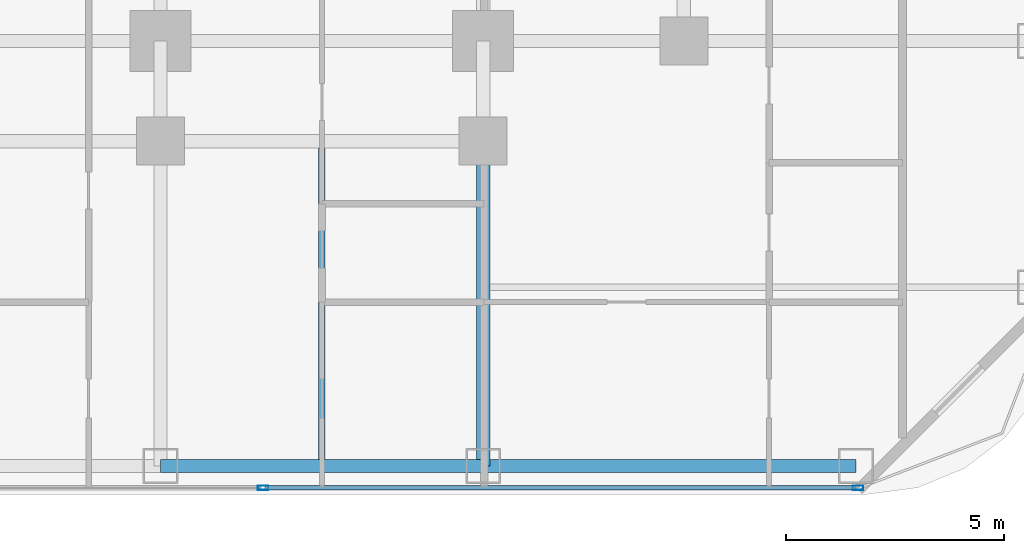
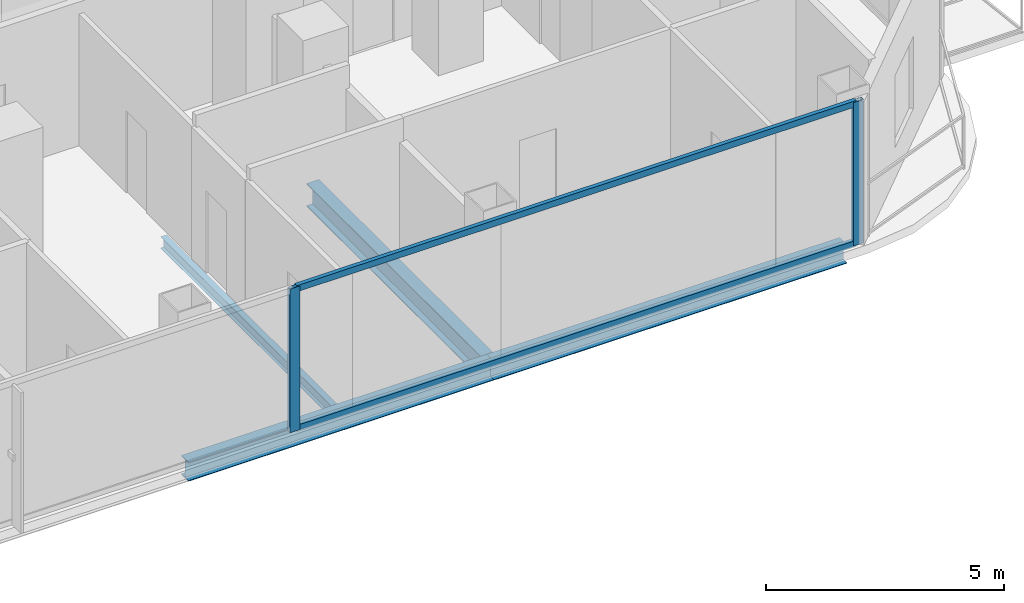
# One storey, part 8 of 30: 4 beams, 4 members, 1 element without a shape of its own.
"""IFC4 building model written with IfcOpenShell, lengths in metres."""

from ifc_helpers import new_model, si_unit, direction, frame, origin, origin_2d, place, context, subcontext, project, spatial, hollow_rectangle, i_section, extrude, material, layer, layer_set, material_profile, profile_set, type_object, element, aggregate, save


model = new_model("IFC4")

# Units and contexts
model_context = context("Model", 3, precision=1e-05, world=origin(), true_north=direction((0.0, 1.0)))
body_context = subcontext(model_context, "Body", "Model", "MODEL_VIEW")
ifc_project = project(units=[si_unit("LENGTHUNIT", "METRE"), si_unit("AREAUNIT", "SQUARE_METRE"), si_unit("VOLUMEUNIT", "CUBIC_METRE"), si_unit("PLANEANGLEUNIT", "RADIAN"), si_unit("MASSUNIT", "GRAM", prefix="KILO")], contexts=[model_context])

# Site, building, storey
site_placement = place(None, origin())
site = spatial("IfcSite", under=ifc_project, at=site_placement, CompositionType="ELEMENT")
building_placement = place(site_placement, origin())
building = spatial("IfcBuilding", under=site, at=building_placement, Name="Khorvyn Point Tower", CompositionType="ELEMENT")
storey_placement = place(building_placement, frame((0.0, 0.0, 30.60009765625)))
storey = spatial("IfcBuildingStorey", under=building, at=storey_placement, Name="L08", CompositionType="ELEMENT", Elevation=30.60009765625)

# Curtain wall, members
ifc_material_1 = material(Name="Anodised aluminium 6063-T6 and laminated Low-E glass", Category="aluminium")
ifc_layer = layer(ifc_material_1, 0.18994140625)
ifc_layer_set = layer_set([ifc_layer], Name="Stick-Built Finned Residential Curtain Wall CW-SYS-02")
curtain_wall_type = type_object("IfcCurtainWallType", Name="Stick-Built Finned Residential Curtain Wall CW-SYS-02", PredefinedType="NOTDEFINED", material=ifc_layer_set)
curtain_wall_placement = place(storey_placement, origin())
curtain_wall = element("IfcCurtainWall", 1, at=curtain_wall_placement, inside=storey, type_object=curtain_wall_type, Name="Curtain Wall", PredefinedType="NOTDEFINED")
ifc_material_2 = material(Name="Anodised aluminium 6063-T6", Category="aluminium")
ifc_material_profile_1 = material_profile(ifc_material_2, hollow_rectangle(XDim=0.10009765625, YDim=0.239990234375, WallThickness=0.0048828125, at=origin_2d()))
ifc_profile_set_1 = profile_set([ifc_material_profile_1], Name="Anodised aluminium 6063-T6 ALU-MUL-100x240")
member_type_1 = type_object("IfcMemberType", Name="Anodised Aluminium 6063-T6 Mullion ALU-MUL-100x240", PredefinedType="MULLION", material=ifc_profile_set_1)
member_1_placement = place(storey_placement, frame((23.39990234375, -25.050048828125, 0.0), z_axis=(0.0, 0.0, 1.0), x_axis=(0.0, -1.0, 0.0)))
member_1 = element("IfcMember", 2, at=member_1_placement, type_object=member_type_1, Name="Transom", PredefinedType="MULLION", context=body_context, shape_type="SweptSolid", body=[
    extrude(hollow_rectangle(XDim=0.10009765625, YDim=0.239990234375, WallThickness=0.0048828125, at=origin_2d()), origin(), (0.0, 0.0, 1.0), 3.679931640625),
])
member_2_placement = place(storey_placement, frame((9.75, -25.050048828125, 0.0), z_axis=(0.0, 0.0, 1.0), x_axis=(0.0, -1.0, 0.0)))
member_2 = element("IfcMember", 3, at=member_2_placement, type_object=member_type_1, Name="Transom", PredefinedType="MULLION", context=body_context, shape_type="SweptSolid", body=[
    extrude(hollow_rectangle(XDim=0.10009765625, YDim=0.239990234375, WallThickness=0.0048828125, at=origin_2d()), origin(), (0.0, 0.0, 1.0), 3.679931640625),
])
ifc_material_profile_2 = material_profile(ifc_material_2, hollow_rectangle(XDim=0.10009765625, YDim=0.159912109375, WallThickness=0.00439453125, at=origin_2d()))
ifc_profile_set_2 = profile_set([ifc_material_profile_2], Name="Anodised aluminium 6063-T6 ALU-TRN-100x160")
member_type_2 = type_object("IfcMemberType", Name="Anodised Aluminium 6063-T6 Transom ALU-TRN-100x160", PredefinedType="USERDEFINED", material=ifc_profile_set_2)
member_3_placement = place(storey_placement, frame((23.35009765625, -25.050048828125, 0.0498046875), z_axis=(-1.0, 0.0, 0.0), x_axis=(0.0, -1.0, 0.0)))
member_3 = element("IfcMember", 4, at=member_3_placement, type_object=member_type_2, Name="Transom", ObjectType="TRANSOM", PredefinedType="USERDEFINED", context=body_context, shape_type="SweptSolid", body=[
    extrude(hollow_rectangle(XDim=0.10009765625, YDim=0.159912109375, WallThickness=0.00439453125, at=origin_2d()), origin(), (0.0, 0.0, 1.0), 13.550048828125),
])
member_4_placement = place(storey_placement, frame((23.35009765625, -25.050048828125, 3.6298828125), z_axis=(-1.0, 0.0, 0.0), x_axis=(0.0, -1.0, 0.0)))
member_4 = element("IfcMember", 5, at=member_4_placement, type_object=member_type_2, Name="Transom", ObjectType="TRANSOM", PredefinedType="USERDEFINED", context=body_context, shape_type="SweptSolid", body=[
    extrude(hollow_rectangle(XDim=0.10009765625, YDim=0.159912109375, WallThickness=0.00439453125, at=origin_2d()), origin(), (0.0, 0.0, 1.0), 13.550048828125),
])
aggregate(curtain_wall, [member_1, member_2, member_3, member_4])

# Beams
ifc_material_3 = material(Name="Steel S355", Category="steel")
ifc_material_profile_3 = material_profile(ifc_material_3, i_section(OverallWidth=0.300048828125, OverallDepth=0.587890625, WebThickness=0.011962890625, FlangeThickness=0.02001953125, at=origin_2d()))
ifc_profile_set_3 = profile_set([ifc_material_profile_3], Name="Steel S355 H588x300x12x20")
beam_type_1 = type_object("IfcBeamType", Name="Steel S355 Beam H588x300x12x20", PredefinedType="BEAM", material=ifc_profile_set_3)
beam_1_placement = place(storey_placement, frame((14.800048828125, -24.550048828125, -0.51416015625), z_axis=(0.0, 1.0, 0.0), x_axis=(-1.0, 0.0, 0.0)))
element("IfcBeam", 6, at=beam_1_placement, inside=storey, type_object=beam_type_1, Name="Beam", PredefinedType="BEAM", context=body_context, shape_type="SweptSolid", body=[
    extrude(i_section(OverallWidth=0.300048828125, OverallDepth=0.587890625, WebThickness=0.011962890625, FlangeThickness=0.02001953125, at=origin_2d()), origin(), (0.0, 0.0, 1.0), 7.449951171875),
])
ifc_material_profile_4 = material_profile(ifc_material_3, i_section(OverallWidth=0.14990234375, OverallDepth=0.300048828125, WebThickness=0.006591796875, FlangeThickness=0.009033203125, at=origin_2d()))
ifc_profile_set_4 = profile_set([ifc_material_profile_4], Name="Steel S355 H300x150x6.5x9")
beam_type_2 = type_object("IfcBeamType", Name="Steel S355 Joist H300x150x6.5x9", PredefinedType="JOIST", material=ifc_profile_set_4)
beam_2_placement = place(storey_placement, frame((11.10009765625, -24.39990234375, -0.3701171875), z_axis=(0.0, 1.0, 0.0), x_axis=(-1.0, 0.0, 0.0)))
element("IfcBeam", 7, at=beam_2_placement, inside=storey, type_object=beam_type_2, Name="Beam", PredefinedType="JOIST", context=body_context, shape_type="SweptSolid", body=[
    extrude(i_section(OverallWidth=0.14990234375, OverallDepth=0.300048828125, WebThickness=0.006591796875, FlangeThickness=0.009033203125, at=origin_2d()), origin(), (0.0, 0.0, 1.0), 7.14990234375),
])
ifc_material_profile_5 = material_profile(ifc_material_3, i_section(OverallWidth=0.300048828125, OverallDepth=0.488037109375, WebThickness=0.010986328125, FlangeThickness=0.01806640625, at=origin_2d()))
ifc_profile_set_5 = profile_set([ifc_material_profile_5], Name="Steel S355 H488x300x11x18")
beam_type_3 = type_object("IfcBeamType", Name="Steel S355 Spandrel H488x300x11x18", PredefinedType="SPANDREL", material=ifc_profile_set_5)
beam_3_placement = place(storey_placement, frame((7.39990234375, -24.550048828125, -0.464111328125), z_axis=(1.0, 0.0, 0.0), x_axis=(0.0, 1.0, 0.0)))
element("IfcBeam", 8, at=beam_3_placement, inside=storey, type_object=beam_type_3, Name="Beam", PredefinedType="SPANDREL", context=body_context, shape_type="SweptSolid", body=[
    extrude(i_section(OverallWidth=0.300048828125, OverallDepth=0.488037109375, WebThickness=0.010986328125, FlangeThickness=0.01806640625, at=origin_2d()), origin(), (0.0, 0.0, 1.0), 7.400146484375),
])
beam_4_placement = place(storey_placement, frame((14.800048828125, -24.550048828125, -0.464111328125), z_axis=(1.0, 0.0, 0.0), x_axis=(0.0, 1.0, 0.0)))
element("IfcBeam", 9, at=beam_4_placement, inside=storey, type_object=beam_type_3, Name="Beam", PredefinedType="SPANDREL", context=body_context, shape_type="SweptSolid", body=[
    extrude(i_section(OverallWidth=0.300048828125, OverallDepth=0.488037109375, WebThickness=0.010986328125, FlangeThickness=0.01806640625, at=origin_2d()), origin(), (0.0, 0.0, 1.0), 8.550048828125),
])

save(model, "model.ifc")
